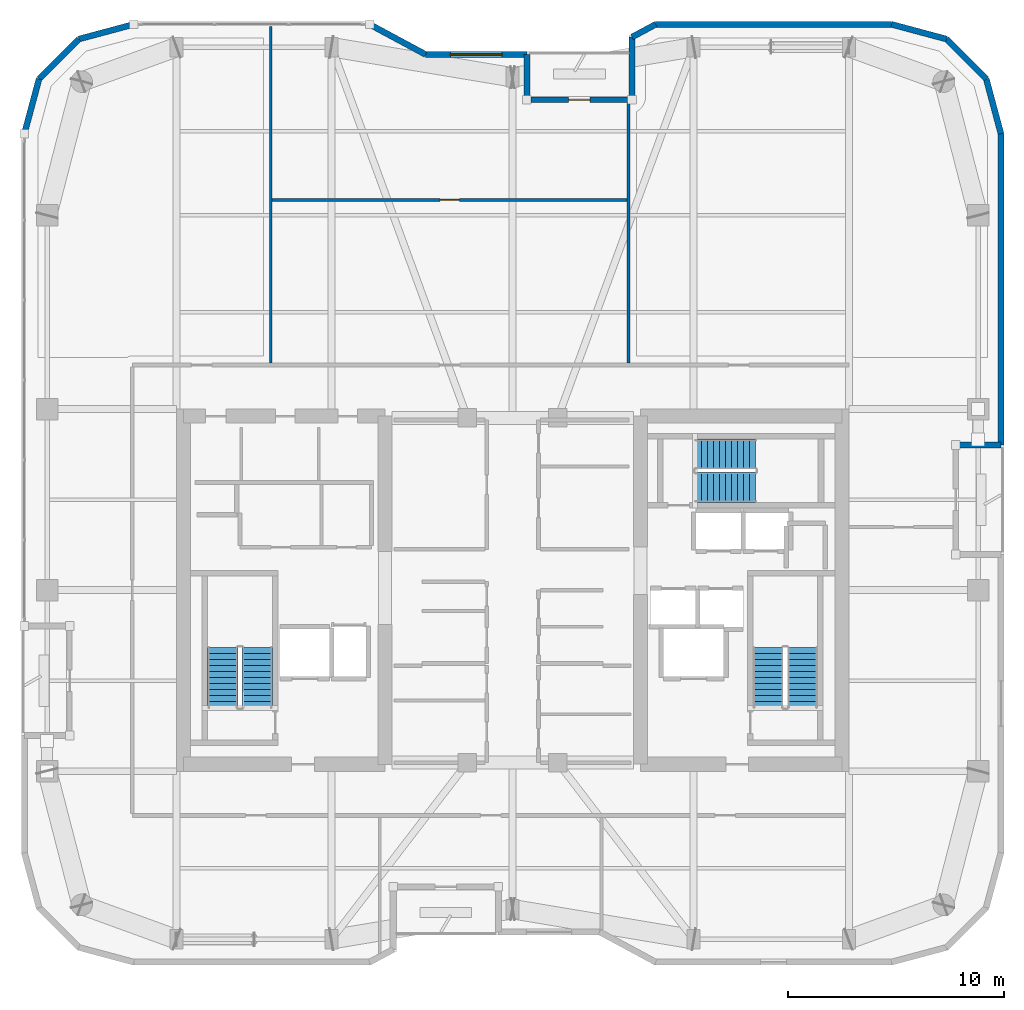
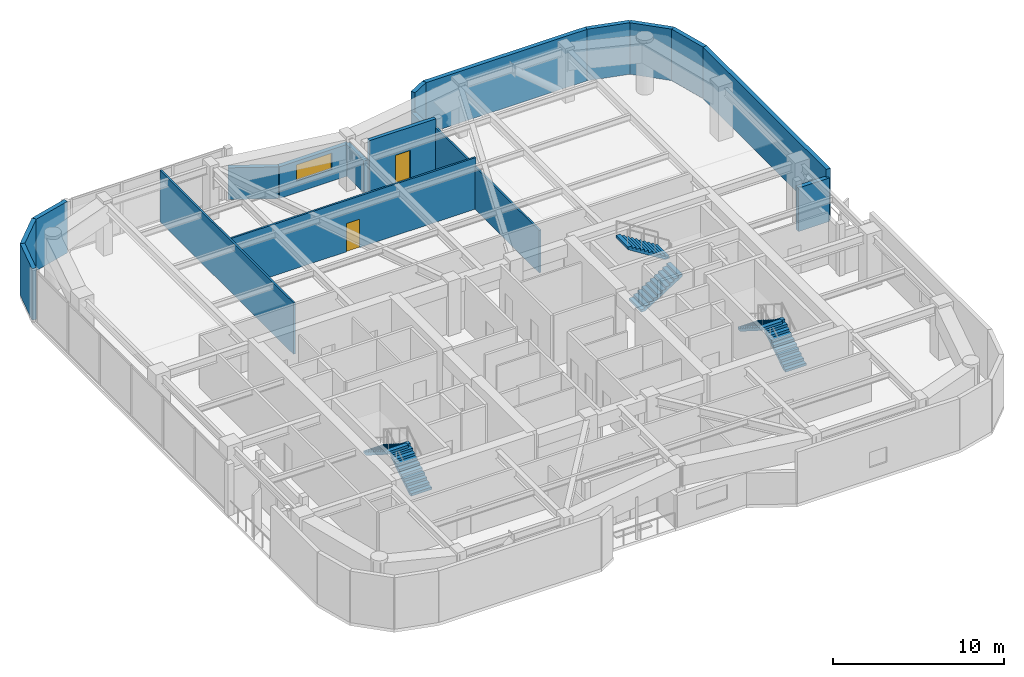
# One storey, part 18 of 21: 18 walls, 6 stair flights, 2 doors, 1 window, 3 openings, 3 elements without a shape of their own.
"""IFC4 building model written with IfcOpenShell, lengths in metres."""

from ifc_helpers import new_model, si_unit, direction, frame, frame_2d, origin, place, context, subcontext, project, spatial, polyline, rectangle, outline, extrude, material, layer, layer_set, type_object, element, fill, aggregate, save


model = new_model("IFC4")

# Units and contexts
model_context = context("Model", 3, precision=1e-05, world=origin(), true_north=direction((0.0, 1.0)))
body_context = subcontext(model_context, "Body", "Model", "MODEL_VIEW")
ifc_project = project(units=[si_unit("LENGTHUNIT", "METRE"), si_unit("AREAUNIT", "SQUARE_METRE"), si_unit("VOLUMEUNIT", "CUBIC_METRE"), si_unit("PLANEANGLEUNIT", "RADIAN"), si_unit("MASSUNIT", "GRAM", prefix="KILO")], contexts=[model_context])

# Site, building, storey
site_placement = place(None, origin())
site = spatial("IfcSite", under=ifc_project, at=site_placement, CompositionType="ELEMENT")
building_placement = place(site_placement, origin())
building = spatial("IfcBuilding", under=site, at=building_placement, Name="Kiyonajd Concourse Tower", CompositionType="ELEMENT")
storey_placement = place(building_placement, frame((0.0, 0.0, 231.0)))
storey = spatial("IfcBuildingStorey", under=building, at=storey_placement, Name="L58", CompositionType="ELEMENT", Elevation=231.0)

# Walls
ifc_material_1 = material(Name="Precast concrete C50/60", Category="concrete")
ifc_layer_1 = layer(ifc_material_1, 0.280029296875)
ifc_layer_set_1 = layer_set([ifc_layer_1], Name="Precast concrete C50/60")
wall_type_1 = type_object("IfcWallType", Name="WL-EXT-280", PredefinedType="SOLIDWALL", material=ifc_layer_set_1)
wall_1_placement = place(storey_placement, frame((25.340087890625, 57.181640625, 0.0), z_axis=(0.0, 0.0, 1.0), x_axis=(0.2588904131, 0.965906700466, 0.0)))
element("IfcWall", 1, at=wall_1_placement, inside=storey, type_object=wall_type_1, Name="L58 Exterior Concrete Frame Wall 06", PredefinedType="SOLIDWALL", context=body_context, shape_type="SweptSolid", body=[
    extrude(rectangle(XDim=2.6357421875, YDim=0.280029296875, at=frame_2d((1.31787109375, 0.0))), origin(), (0.0, 0.0, 1.0), 3.679931640625),
])
wall_2_placement = place(storey_placement, frame((26.0224609375, 59.7275390625, 0.0), z_axis=(0.0, 0.0, 1.0), x_axis=(0.707153437963, 0.707060121331, 0.0)))
element("IfcWall", 2, at=wall_2_placement, inside=storey, type_object=wall_type_1, Name="L58 Exterior Concrete Frame Wall 07", PredefinedType="SOLIDWALL", context=body_context, shape_type="SweptSolid", body=[
    extrude(rectangle(XDim=2.6162109375, YDim=0.280029296875, at=frame_2d((1.30810546875, 0.0))), origin(), (0.0, 0.0, 1.0), 3.679931640625),
])
wall_3_placement = place(storey_placement, frame((27.87255859375, 61.577392578125, 0.0), z_axis=(0.0, 0.0, 1.0), x_axis=(0.965883534663, 0.258976828051, 0.0)))
element("IfcWall", 3, at=wall_3_placement, inside=storey, type_object=wall_type_1, Name="L58 Exterior Concrete Frame Wall 08", PredefinedType="SOLIDWALL", context=body_context, shape_type="SweptSolid", body=[
    extrude(rectangle(XDim=2.6357421875, YDim=0.280029296875, at=frame_2d((1.31787109375, 0.0))), origin(), (0.0, 0.0, 1.0), 3.679931640625),
])
wall_4_placement = place(storey_placement, frame((41.36474609375, 62.260009765625, 0.0), z_axis=(0.0, 0.0, 1.0), x_axis=(0.880473754814, -0.474094892488, 0.0)))
element("IfcWall", 4, at=wall_4_placement, inside=storey, type_object=wall_type_1, Name="L58 Exterior Concrete Frame Wall 10", PredefinedType="SOLIDWALL", context=body_context, shape_type="SweptSolid", body=[
    extrude(rectangle(XDim=2.952880859375, YDim=0.280029296875, at=frame_2d((1.4765625, 0.0))), origin(), (0.0, 0.0, 1.0), 2.264892578125),
])

# Wall, opening, window
wall_5_placement = place(storey_placement, frame((43.964599609375, 60.860107421875, 0.0), z_axis=(0.0, 0.0, 1.0), x_axis=(1.0, 0.0, 0.0)))
wall_5 = element("IfcWall", 5, at=wall_5_placement, inside=storey, type_object=wall_type_1, Name="L58 Exterior Concrete Frame Wall 11", PredefinedType="SOLIDWALL", context=body_context, shape_type="SweptSolid", body=[
    extrude(rectangle(XDim=4.6953125, YDim=0.280029296875, at=frame_2d((2.34765625, 0.0))), origin(), (0.0, 0.0, 1.0), 2.264892578125),
])
opening_1_placement = place(wall_5_placement, frame((1.14794921875, 0.0, 0.85009765625)))
opening_1 = element("IfcOpeningElement", 6, at=opening_1_placement, cuts=wall_5, Name="Opening WN4", PredefinedType="OPENING", context=body_context, shape_type="SweptSolid", body=[
    extrude(rectangle(XDim=2.39990234375, YDim=1.14990234375, at=frame_2d((1.199951171875, 0.574951171875))), frame((0.0, 0.14990234375, 0.0), z_axis=(0.0, -1.0, 0.0), x_axis=(1.0, 0.0, 0.0)), (0.0, 0.0, 1.0), 0.300048828125),
])
ifc_material_2 = material(Name="Double Low-E Insulated Glass", Category="glass")
window_type = type_object("IfcWindowType", Name="WN-VIS-2400x1150", PartitioningType="SINGLE_PANEL", PredefinedType="WINDOW", material=ifc_material_2)
window_placement = place(opening_1_placement, origin())
window = element("IfcWindow", 7, at=window_placement, inside=storey, type_object=window_type, Name="L58 Modular Facade Vision Window 11", OverallHeight=1.14990234375, OverallWidth=2.39990234375, PartitioningType="SINGLE_PANEL", PredefinedType="WINDOW", context=body_context, shape_type="SweptSolid", body=[
    extrude(rectangle(XDim=2.39990234375, YDim=1.14990234375, at=frame_2d((1.199951171875, 0.574951171875))), frame((0.0, 0.030029296875, 0.0), z_axis=(0.0, -1.0, 0.0), x_axis=(1.0, 0.0, 0.0)), (0.0, 0.0, 1.0), 0.06005859375),
])
fill(opening_1, window)

# Walls
wall_6_placement = place(storey_placement, frame((48.659912109375, 60.860107421875, 0.0), z_axis=(0.0, 0.0, 1.0), x_axis=(0.0, -1.0, 0.0)))
element("IfcWall", 8, at=wall_6_placement, inside=storey, type_object=wall_type_1, Name="L58 Exterior Concrete Frame Wall 12", PredefinedType="SOLIDWALL", context=body_context, shape_type="SweptSolid", body=[
    extrude(rectangle(XDim=2.10009765625, YDim=0.280029296875, at=frame_2d((1.050048828125, 0.0))), origin(), (0.0, 0.0, 1.0), 2.264892578125),
])
wall_7_placement = place(storey_placement, frame((53.5400390625, 58.760009765625, 0.0), z_axis=(0.0, 0.0, 1.0), x_axis=(0.0, 1.0, 0.0)))
element("IfcWall", 9, at=wall_7_placement, inside=storey, type_object=wall_type_1, Name="L58 Exterior Concrete Frame Wall 14", PredefinedType="SOLIDWALL", context=body_context, shape_type="SweptSolid", body=[
    extrude(rectangle(XDim=2.910400390625, YDim=0.280029296875, at=frame_2d((1.455078125, 0.0))), origin(), (0.0, 0.0, 1.0), 2.264892578125),
])
wall_8_placement = place(storey_placement, frame((53.5400390625, 61.67041015625, 0.0), z_axis=(0.0, 0.0, 1.0), x_axis=(0.880515214249, 0.474017887296, 0.0)))
element("IfcWall", 10, at=wall_8_placement, inside=storey, type_object=wall_type_1, Name="L58 Exterior Concrete Frame Wall 15", PredefinedType="SOLIDWALL", context=body_context, shape_type="SweptSolid", body=[
    extrude(rectangle(XDim=1.243896484375, YDim=0.280029296875, at=frame_2d((0.6220703125, 0.0))), origin(), (0.0, 0.0, 1.0), 3.679931640625),
])
wall_9_placement = place(storey_placement, frame((54.63525390625, 62.260009765625, 0.0), z_axis=(0.0, 0.0, 1.0), x_axis=(1.0, 0.0, 0.0)))
element("IfcWall", 11, at=wall_9_placement, inside=storey, type_object=wall_type_1, Name="L58 Exterior Concrete Frame Wall 16", PredefinedType="SOLIDWALL", context=body_context, shape_type="SweptSolid", body=[
    extrude(rectangle(XDim=10.9462890625, YDim=0.280029296875, at=frame_2d((5.47314453125, 0.0))), origin(), (0.0, 0.0, 1.0), 3.679931640625),
])
wall_10_placement = place(storey_placement, frame((65.58154296875, 62.260009765625, 0.0), z_axis=(0.0, 0.0, 1.0), x_axis=(0.965883534663, -0.258976828051, 0.0)))
element("IfcWall", 12, at=wall_10_placement, inside=storey, type_object=wall_type_1, Name="L58 Exterior Concrete Frame Wall 17", PredefinedType="SOLIDWALL", context=body_context, shape_type="SweptSolid", body=[
    extrude(rectangle(XDim=2.6357421875, YDim=0.280029296875, at=frame_2d((1.31787109375, 0.0))), origin(), (0.0, 0.0, 1.0), 3.679931640625),
])
wall_11_placement = place(storey_placement, frame((68.12744140625, 61.577392578125, 0.0), z_axis=(0.0, 0.0, 1.0), x_axis=(0.707153437963, -0.707060121331, 0.0)))
element("IfcWall", 13, at=wall_11_placement, inside=storey, type_object=wall_type_1, Name="L58 Exterior Concrete Frame Wall 18", PredefinedType="SOLIDWALL", context=body_context, shape_type="SweptSolid", body=[
    extrude(rectangle(XDim=2.6162109375, YDim=0.280029296875, at=frame_2d((1.30810546875, 0.0))), origin(), (0.0, 0.0, 1.0), 3.679931640625),
])
wall_12_placement = place(storey_placement, frame((69.9775390625, 59.7275390625, 0.0), z_axis=(0.0, 0.0, 1.0), x_axis=(0.2588904131, -0.965906700466, 0.0)))
element("IfcWall", 14, at=wall_12_placement, inside=storey, type_object=wall_type_1, Name="L58 Exterior Concrete Frame Wall 19", PredefinedType="SOLIDWALL", context=body_context, shape_type="SweptSolid", body=[
    extrude(rectangle(XDim=2.6357421875, YDim=0.280029296875, at=frame_2d((1.31787109375, 0.0))), origin(), (0.0, 0.0, 1.0), 3.679931640625),
])
wall_13_placement = place(storey_placement, frame((70.659912109375, 57.181640625, 0.0), z_axis=(0.0, 0.0, 1.0), x_axis=(0.0, -1.0, 0.0)))
element("IfcWall", 15, at=wall_13_placement, inside=storey, type_object=wall_type_1, Name="L58 Exterior Concrete Frame Wall 20", PredefinedType="SOLIDWALL", context=body_context, shape_type="SweptSolid", body=[
    extrude(rectangle(XDim=14.441650390625, YDim=0.280029296875, at=frame_2d((7.220703125, 0.0))), origin(), (0.0, 0.0, 1.0), 3.679931640625),
])
wall_14_placement = place(storey_placement, frame((70.659912109375, 42.739990234375, 0.0), z_axis=(0.0, 0.0, 1.0), x_axis=(-1.0, 0.0, 0.0)))
element("IfcWall", 16, at=wall_14_placement, inside=storey, type_object=wall_type_1, Name="L58 Exterior Concrete Frame Wall 21", PredefinedType="SOLIDWALL", context=body_context, shape_type="SweptSolid", body=[
    extrude(rectangle(XDim=2.099853515625, YDim=0.280029296875, at=frame_2d((1.0498046875, 0.0))), origin(), (0.0, 0.0, 1.0), 3.115966796875),
])

# Wall, opening, door
ifc_layer_2 = layer(ifc_material_1, 0.239990234375)
ifc_layer_set_2 = layer_set([ifc_layer_2], Name="Precast concrete C50/60")
wall_type_2 = type_object("IfcWallType", Name="WL-LOG-240", PredefinedType="SOLIDWALL", material=ifc_layer_set_2)
wall_15_placement = place(storey_placement, frame((48.85498046875, 58.760009765625, 0.0), z_axis=(0.0, 0.0, 1.0), x_axis=(1.0, 0.0, 0.0)))
wall_15 = element("IfcWall", 17, at=wall_15_placement, inside=storey, type_object=wall_type_2, Name="L58 Recessed Loggia Thermal Wall LOG-N", PredefinedType="SOLIDWALL", context=body_context, shape_type="SweptSolid", body=[
    extrude(rectangle(XDim=4.489990234375, YDim=0.239990234375, at=frame_2d((2.2451171875, 0.0))), origin(), (0.0, 0.0, 1.0), 3.679931640625),
])
opening_2_placement = place(wall_15_placement, frame((1.7451171875, 0.0, 0.0)))
opening_2 = element("IfcOpeningElement", 18, at=opening_2_placement, cuts=wall_15, Name="Opening DL1", PredefinedType="OPENING", context=body_context, shape_type="SweptSolid", body=[
    extrude(rectangle(XDim=1.0, YDim=2.02001953125, at=frame_2d((0.5, 1.010009765625))), frame((0.0, 0.1298828125, 0.0), z_axis=(0.0, -1.0, 0.0), x_axis=(1.0, 0.0, 0.0)), (0.0, 0.0, 1.0), 0.260009765625),
])
ifc_material_3 = material(Name="Thermally Broken Anodised Aluminium", Category="aluminium")
door_type_1 = type_object("IfcDoorType", Name="DR-LOG-1000", OperationType="NOTDEFINED", PredefinedType="DOOR", material=ifc_material_3)
door_1_placement = place(opening_2_placement, origin())
door_1 = element("IfcDoor", 19, at=door_1_placement, inside=storey, type_object=door_type_1, Name="L58 Engawa Loggia Access Door LOG-N", OperationType="SINGLE_SWING_RIGHT", OverallHeight=2.02001953125, OverallWidth=1.0, PredefinedType="DOOR", context=body_context, shape_type="SweptSolid", body=[
    extrude(rectangle(XDim=1.0, YDim=2.02001953125, at=frame_2d((0.5, 1.010009765625))), frame((0.0, 0.02490234375, 0.0), z_axis=(0.0, -1.0, 0.0), x_axis=(1.0, 0.0, 0.0)), (0.0, 0.0, 1.0), 0.050048828125),
])
fill(opening_2, door_1)

ifc_material_4 = material(Name="Gypsum Board on Cold-Formed Steel Stud", Category="steel")
ifc_layer_3 = layer(ifc_material_4, 0.125)
ifc_layer_set_3 = layer_set([ifc_layer_3], Name="Gypsum Board on Cold-Formed Steel Stud")
wall_type_3 = type_object("IfcWallType", Name="WL-PART-125", PredefinedType="PARTITIONING", material=ifc_layer_set_3)
wall_16_placement = place(storey_placement, frame((36.780029296875, 54.110107421875, 0.0), z_axis=(0.0, 0.0, 1.0), x_axis=(1.0, 0.0, 0.0)))
wall_16 = element("IfcWall", 20, at=wall_16_placement, inside=storey, type_object=wall_type_3, Name="L58 Interior Partition Wall", PredefinedType="PARTITIONING", context=body_context, shape_type="SweptSolid", body=[
    extrude(rectangle(XDim=16.599853515625, YDim=0.125, at=frame_2d((8.2998046875, 0.0))), origin(), (0.0, 0.0, 1.0), 3.679931640625),
])
opening_3_placement = place(wall_16_placement, frame((7.85009765625, 0.0, 0.0)))
opening_3 = element("IfcOpeningElement", 21, at=opening_3_placement, cuts=wall_16, Name="Opening DI2", PredefinedType="OPENING", context=body_context, shape_type="SweptSolid", body=[
    extrude(rectangle(XDim=0.89990234375, YDim=2.02001953125, at=frame_2d((0.449951171875, 1.010009765625))), frame((0.0, 0.072509765625, 0.0), z_axis=(0.0, -1.0, 0.0), x_axis=(1.0, 0.0, 0.0)), (0.0, 0.0, 1.0), 0.14501953125),
])
ifc_material_5 = material(Name="Natural Oak Acoustic Timber Veneer", Category="wood")
door_type_2 = type_object("IfcDoorType", Name="DR-INT-900", OperationType="NOTDEFINED", PredefinedType="DOOR", material=ifc_material_5)
door_2_placement = place(opening_3_placement, origin())
door_2 = element("IfcDoor", 22, at=door_2_placement, inside=storey, type_object=door_type_2, Name="L58 Interior Door", OperationType="SINGLE_SWING_LEFT", OverallHeight=2.02001953125, OverallWidth=0.89990234375, PredefinedType="DOOR", context=body_context, shape_type="SweptSolid", body=[
    extrude(rectangle(XDim=0.89990234375, YDim=2.02001953125, at=frame_2d((0.449951171875, 1.010009765625))), frame((0.0, 0.02490234375, 0.0), z_axis=(0.0, -1.0, 0.0), x_axis=(1.0, 0.0, 0.0)), (0.0, 0.0, 1.0), 0.050048828125),
])
fill(opening_3, door_2)

# Walls
wall_17_placement = place(storey_placement, frame((36.780029296875, 46.537109375, 0.0), z_axis=(0.0, 0.0, 1.0), x_axis=(0.0, 1.0, 0.0)))
element("IfcWall", 23, at=wall_17_placement, inside=storey, type_object=wall_type_3, Name="L58 Interior Partition Wall", PredefinedType="PARTITIONING", context=body_context, shape_type="SweptSolid", body=[
    extrude(rectangle(XDim=15.6279296875, YDim=0.125, at=frame_2d((7.81396484375, 0.0))), origin(), (0.0, 0.0, 1.0), 3.679931640625),
])
wall_18_placement = place(storey_placement, frame((53.3798828125, 46.537109375, 0.0), z_axis=(0.0, 0.0, 1.0), x_axis=(0.0, 1.0, 0.0)))
element("IfcWall", 24, at=wall_18_placement, inside=storey, type_object=wall_type_3, Name="L58 Interior Partition Wall", PredefinedType="PARTITIONING", context=body_context, shape_type="SweptSolid", body=[
    extrude(rectangle(XDim=12.222900390625, YDim=0.125, at=frame_2d((6.111328125, 0.0))), origin(), (0.0, 0.0, 1.0), 3.04296875),
])

# Stair, stair flights
ifc_material_6 = material(Name="Concrete C40/50", Category="concrete")
stair_type = type_object("IfcStairType", Name="ST-DLG-22R", PredefinedType="HALF_TURN_STAIR", material=ifc_material_6)
stair_1_placement = place(storey_placement, origin())
stair_1 = element("IfcStair", 25, at=stair_1_placement, inside=storey, type_object=stair_type, Name="L58 Protected Exit Stair ST1", PredefinedType="HALF_TURN_STAIR")
stair_flight_type = type_object("IfcStairFlightType", Name="SF-STR-22R", PredefinedType="STRAIGHT", material=ifc_material_6)
stair_flight_1_placement = place(storey_placement, frame((36.14990234375, 30.550048828125, 0.0), z_axis=(0.0, 0.0, 1.0), x_axis=(0.0, 1.0, 0.0)))
stair_flight_1 = element("IfcStairFlight", 26, at=stair_flight_1_placement, type_object=stair_flight_type, Name="ST1 flight 1", NumberOfRisers=11, NumberOfTreads=10, PredefinedType="STRAIGHT", RiserHeight=0.177272727, TreadLength=0.28, context=body_context, shape_type="SweptSolid", body=[
    extrude(outline(polyline([(0.0, 0.0), (0.0, 0.17724609375), (0.280029296875, 0.17724609375), (0.280029296875, 0.3544921875), (0.56005859375, 0.3544921875), (0.56005859375, 0.53173828125), (0.840087890625, 0.53173828125), (0.840087890625, 0.708984375), (1.1201171875, 0.708984375), (1.1201171875, 0.886474609375), (1.39990234375, 0.886474609375), (1.39990234375, 1.063720703125), (1.679931640625, 1.063720703125), (1.679931640625, 1.240966796875), (1.9599609375, 1.240966796875), (1.9599609375, 1.418212890625), (2.239990234375, 1.418212890625), (2.239990234375, 1.595458984375), (2.52001953125, 1.595458984375), (2.52001953125, 1.772705078125), (2.800048828125, 1.772705078125), (2.800048828125, 1.949951171875), (2.800048828125, 1.59521484375), (0.2802734375, 0.0), (0.0, 0.0)])), frame((0.0, 0.699951171875, 0.0), z_axis=(0.0, -1.0, 0.0), x_axis=(1.0, 0.0, 0.0)), (0.0, 0.0, 1.0), 1.39990234375),
])
stair_flight_2_placement = place(storey_placement, frame((34.550048828125, 33.35009765625, 1.949951171875), z_axis=(0.0, 0.0, 1.0), x_axis=(0.0, -1.0, 0.0)))
stair_flight_2 = element("IfcStairFlight", 27, at=stair_flight_2_placement, type_object=stair_flight_type, Name="ST1 flight 2", NumberOfRisers=11, NumberOfTreads=10, PredefinedType="STRAIGHT", RiserHeight=0.177272727, TreadLength=0.28, context=body_context, shape_type="SweptSolid", body=[
    extrude(outline(polyline([(0.0, 0.0), (0.0, 0.17724609375), (0.280029296875, 0.17724609375), (0.280029296875, 0.3544921875), (0.56005859375, 0.3544921875), (0.56005859375, 0.53173828125), (0.840087890625, 0.53173828125), (0.840087890625, 0.708984375), (1.1201171875, 0.708984375), (1.1201171875, 0.886474609375), (1.39990234375, 0.886474609375), (1.39990234375, 1.063720703125), (1.679931640625, 1.063720703125), (1.679931640625, 1.240966796875), (1.9599609375, 1.240966796875), (1.9599609375, 1.418212890625), (2.239990234375, 1.418212890625), (2.239990234375, 1.595458984375), (2.52001953125, 1.595458984375), (2.52001953125, 1.772705078125), (2.800048828125, 1.772705078125), (2.800048828125, 1.949951171875), (2.800048828125, 1.59521484375), (0.2802734375, 0.0), (0.0, 0.0)])), frame((0.0, 0.699951171875, 0.0), z_axis=(0.0, -1.0, 0.0), x_axis=(1.0, 0.0, 0.0)), (0.0, 0.0, 1.0), 1.39990234375),
])
aggregate(stair_1, [stair_flight_1, stair_flight_2])

stair_2_placement = place(storey_placement, origin())
stair_2 = element("IfcStair", 28, at=stair_2_placement, inside=storey, type_object=stair_type, Name="L58 Protected Exit Stair ST2", PredefinedType="HALF_TURN_STAIR")
stair_flight_3_placement = place(storey_placement, frame((61.449951171875, 30.550048828125, 0.0), z_axis=(0.0, 0.0, 1.0), x_axis=(0.0, 1.0, 0.0)))
stair_flight_3 = element("IfcStairFlight", 29, at=stair_flight_3_placement, type_object=stair_flight_type, Name="ST2 flight 1", NumberOfRisers=11, NumberOfTreads=10, PredefinedType="STRAIGHT", RiserHeight=0.177272727, TreadLength=0.28, context=body_context, shape_type="SweptSolid", body=[
    extrude(outline(polyline([(0.0, 0.0), (0.0, 0.17724609375), (0.280029296875, 0.17724609375), (0.280029296875, 0.3544921875), (0.56005859375, 0.3544921875), (0.56005859375, 0.53173828125), (0.840087890625, 0.53173828125), (0.840087890625, 0.708984375), (1.1201171875, 0.708984375), (1.1201171875, 0.886474609375), (1.39990234375, 0.886474609375), (1.39990234375, 1.063720703125), (1.679931640625, 1.063720703125), (1.679931640625, 1.240966796875), (1.9599609375, 1.240966796875), (1.9599609375, 1.418212890625), (2.239990234375, 1.418212890625), (2.239990234375, 1.595458984375), (2.52001953125, 1.595458984375), (2.52001953125, 1.772705078125), (2.800048828125, 1.772705078125), (2.800048828125, 1.949951171875), (2.800048828125, 1.59521484375), (0.2802734375, 0.0), (0.0, 0.0)])), frame((0.0, 0.699951171875, 0.0), z_axis=(0.0, -1.0, 0.0), x_axis=(1.0, 0.0, 0.0)), (0.0, 0.0, 1.0), 1.39990234375),
])
stair_flight_4_placement = place(storey_placement, frame((59.85009765625, 33.35009765625, 1.949951171875), z_axis=(0.0, 0.0, 1.0), x_axis=(0.0, -1.0, 0.0)))
stair_flight_4 = element("IfcStairFlight", 30, at=stair_flight_4_placement, type_object=stair_flight_type, Name="ST2 flight 2", NumberOfRisers=11, NumberOfTreads=10, PredefinedType="STRAIGHT", RiserHeight=0.177272727, TreadLength=0.28, context=body_context, shape_type="SweptSolid", body=[
    extrude(outline(polyline([(0.0, 0.0), (0.0, 0.17724609375), (0.280029296875, 0.17724609375), (0.280029296875, 0.3544921875), (0.56005859375, 0.3544921875), (0.56005859375, 0.53173828125), (0.840087890625, 0.53173828125), (0.840087890625, 0.708984375), (1.1201171875, 0.708984375), (1.1201171875, 0.886474609375), (1.39990234375, 0.886474609375), (1.39990234375, 1.063720703125), (1.679931640625, 1.063720703125), (1.679931640625, 1.240966796875), (1.9599609375, 1.240966796875), (1.9599609375, 1.418212890625), (2.239990234375, 1.418212890625), (2.239990234375, 1.595458984375), (2.52001953125, 1.595458984375), (2.52001953125, 1.772705078125), (2.800048828125, 1.772705078125), (2.800048828125, 1.949951171875), (2.800048828125, 1.59521484375), (0.2802734375, 0.0), (0.0, 0.0)])), frame((0.0, 0.699951171875, 0.0), z_axis=(0.0, -1.0, 0.0), x_axis=(1.0, 0.0, 0.0)), (0.0, 0.0, 1.0), 1.39990234375),
])
aggregate(stair_2, [stair_flight_3, stair_flight_4])

stair_3_placement = place(storey_placement, origin())
stair_3 = element("IfcStair", 31, at=stair_3_placement, inside=storey, type_object=stair_type, Name="L58 Protected Exit Stair ST3", PredefinedType="HALF_TURN_STAIR")
stair_flight_5_placement = place(storey_placement, frame((56.47998046875, 40.780029296875, 0.0), z_axis=(0.0, 0.0, 1.0), x_axis=(1.0, 0.0, 0.0)))
stair_flight_5 = element("IfcStairFlight", 32, at=stair_flight_5_placement, type_object=stair_flight_type, Name="ST3 flight 1", NumberOfRisers=11, NumberOfTreads=10, PredefinedType="STRAIGHT", RiserHeight=0.177272727, TreadLength=0.28, context=body_context, shape_type="SweptSolid", body=[
    extrude(outline(polyline([(0.0, 0.0), (0.0, 0.17724609375), (0.280029296875, 0.17724609375), (0.280029296875, 0.3544921875), (0.56005859375, 0.3544921875), (0.56005859375, 0.53173828125), (0.840087890625, 0.53173828125), (0.840087890625, 0.708984375), (1.1201171875, 0.708984375), (1.1201171875, 0.886474609375), (1.39990234375, 0.886474609375), (1.39990234375, 1.063720703125), (1.679931640625, 1.063720703125), (1.679931640625, 1.240966796875), (1.9599609375, 1.240966796875), (1.9599609375, 1.418212890625), (2.239990234375, 1.418212890625), (2.239990234375, 1.595458984375), (2.52001953125, 1.595458984375), (2.52001953125, 1.772705078125), (2.800048828125, 1.772705078125), (2.800048828125, 1.949951171875), (2.800048828125, 1.59521484375), (0.2802734375, 0.0), (0.0, 0.0)])), frame((0.0, 0.699951171875, 0.0), z_axis=(0.0, -1.0, 0.0), x_axis=(1.0, 0.0, 0.0)), (0.0, 0.0, 1.0), 1.39990234375),
])
stair_flight_6_placement = place(storey_placement, frame((59.280029296875, 42.320068359375, 1.949951171875), z_axis=(0.0, 0.0, 1.0), x_axis=(-1.0, 0.0, 0.0)))
stair_flight_6 = element("IfcStairFlight", 33, at=stair_flight_6_placement, type_object=stair_flight_type, Name="ST3 flight 2", NumberOfRisers=11, NumberOfTreads=10, PredefinedType="STRAIGHT", RiserHeight=0.177272727, TreadLength=0.28, context=body_context, shape_type="SweptSolid", body=[
    extrude(outline(polyline([(0.0, 0.0), (0.0, 0.17724609375), (0.280029296875, 0.17724609375), (0.280029296875, 0.3544921875), (0.56005859375, 0.3544921875), (0.56005859375, 0.53173828125), (0.840087890625, 0.53173828125), (0.840087890625, 0.708984375), (1.1201171875, 0.708984375), (1.1201171875, 0.886474609375), (1.39990234375, 0.886474609375), (1.39990234375, 1.063720703125), (1.679931640625, 1.063720703125), (1.679931640625, 1.240966796875), (1.9599609375, 1.240966796875), (1.9599609375, 1.418212890625), (2.239990234375, 1.418212890625), (2.239990234375, 1.595458984375), (2.52001953125, 1.595458984375), (2.52001953125, 1.772705078125), (2.800048828125, 1.772705078125), (2.800048828125, 1.949951171875), (2.800048828125, 1.59521484375), (0.2802734375, 0.0), (0.0, 0.0)])), frame((0.0, 0.699951171875, 0.0), z_axis=(0.0, -1.0, 0.0), x_axis=(1.0, 0.0, 0.0)), (0.0, 0.0, 1.0), 1.39990234375),
])
aggregate(stair_3, [stair_flight_5, stair_flight_6])

save(model, "model.ifc")
